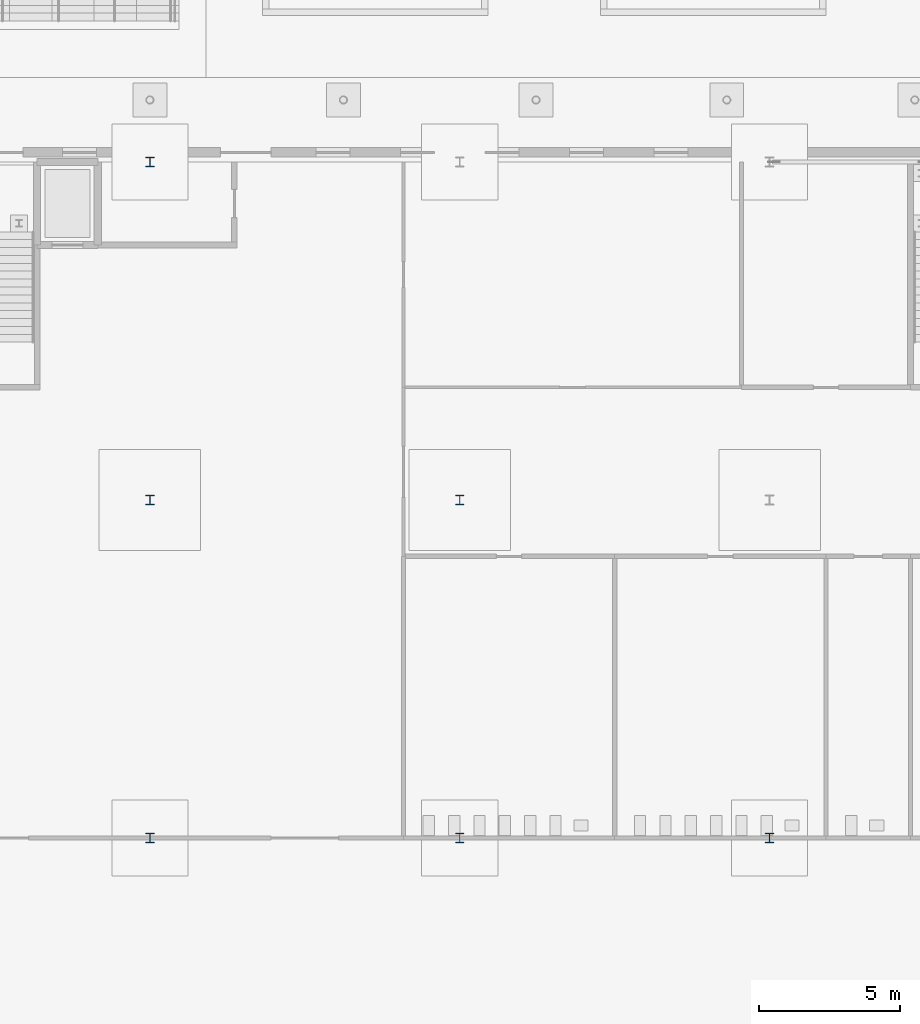
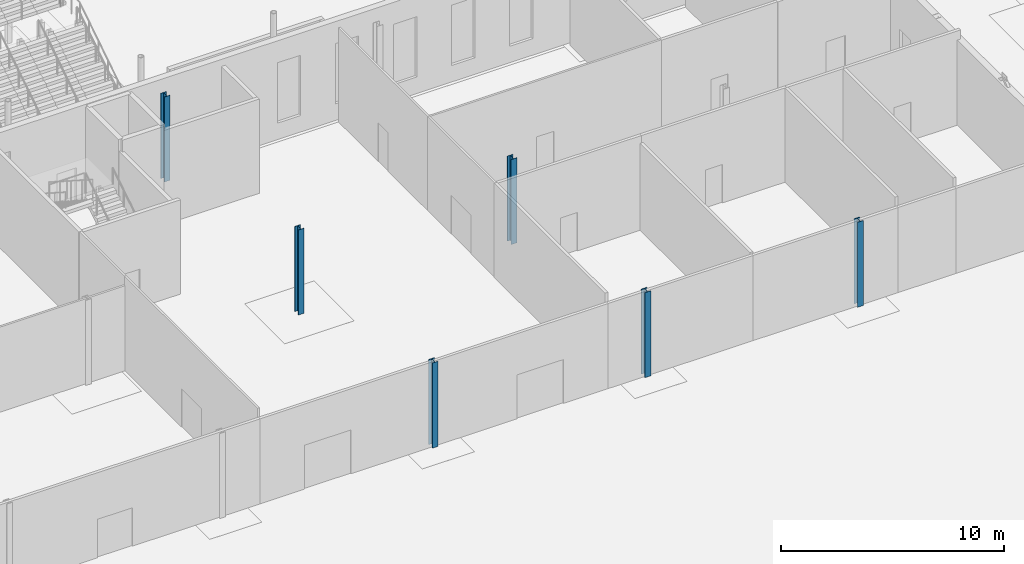
# One storey, part 29 of 132: 6 columns.
"""IFC4 building model written with IfcOpenShell, lengths in metres."""

from ifc_helpers import new_model, si_unit, direction, frame, origin, origin_2d, place, context, subcontext, project, spatial, i_section, extrude, material, material_profile, profile_set, type_object, element, save


model = new_model("IFC4")

# Units and contexts
model_context = context("Model", 3, precision=1e-05, world=origin(), true_north=direction((0.0, 1.0)))
body_context = subcontext(model_context, "Body", "Model", "MODEL_VIEW")
ifc_project = project(units=[si_unit("LENGTHUNIT", "METRE"), si_unit("AREAUNIT", "SQUARE_METRE"), si_unit("VOLUMEUNIT", "CUBIC_METRE"), si_unit("PLANEANGLEUNIT", "RADIAN"), si_unit("MASSUNIT", "GRAM", prefix="KILO")], contexts=[model_context])

# Site, building, storey
site_placement = place(None, origin())
site = spatial("IfcSite", under=ifc_project, at=site_placement, CompositionType="ELEMENT")
building_placement = place(site_placement, origin())
building = spatial("IfcBuilding", under=site, at=building_placement, Name="Ravi Spectrum Wholesale Market", CompositionType="ELEMENT")
storey_placement = place(building_placement, origin())
storey = spatial("IfcBuildingStorey", under=building, at=storey_placement, Name="L00", CompositionType="ELEMENT", Elevation=0.0)

# Columns
ifc_material = material(Name="Steel S355", Category="steel")
ifc_material_profile = material_profile(ifc_material, i_section(OverallWidth=0.300048828125, OverallDepth=0.340087890625, WebThickness=0.011962890625, FlangeThickness=0.021484375, at=origin_2d()))
ifc_profile_set = profile_set([ifc_material_profile], Name="Steel S355")
column_type = type_object("IfcColumnType", Name="HEB 340 column", PredefinedType="COLUMN", material=ifc_profile_set)
for number, where, z_axis, x_axis, name in (
    (1, (70.0, 171.0, 0.0), (0.0, 0.0, 1.0), (1.0, 0.0, 0.0), "H1-COL-L00-065"),
    (2, (70.0, 183.0, 0.0), (0.0, 0.0, 1.0), (1.0, 0.0, 0.0), "H1-COL-L00-066"),
    (3, (70.0, 195.0, 0.0), (0.0, 0.0, 1.0), (1.0, 0.0, 0.0), "H1-COL-L00-067"),
    (4, (81.0, 171.0, 0.0), (0.0, 0.0, 1.0), (1.0, 0.0, 0.0), "H1-COL-L00-068"),
    (5, (81.0, 183.0, 0.0), (0.0, 0.0, 1.0), (1.0, 0.0, 0.0), "H1-COL-L00-069"),
    (6, (92.0, 171.0, 0.0), (0.0, 0.0, 1.0), (1.0, 0.0, 0.0), "H1-COL-L00-071"),
):
    element("IfcColumn", number, at=place(storey_placement, frame(where, z_axis=z_axis, x_axis=x_axis)), inside=storey, type_object=column_type, Name=name, PredefinedType="COLUMN", context=body_context, shape_type="SweptSolid", body=[
        extrude(i_section(OverallWidth=0.300048828125, OverallDepth=0.340087890625, WebThickness=0.011962890625, FlangeThickness=0.021484375, at=origin_2d()), origin(), (0.0, 0.0, 1.0), 4.64990234375),
    ])

save(model, "model.ifc")
